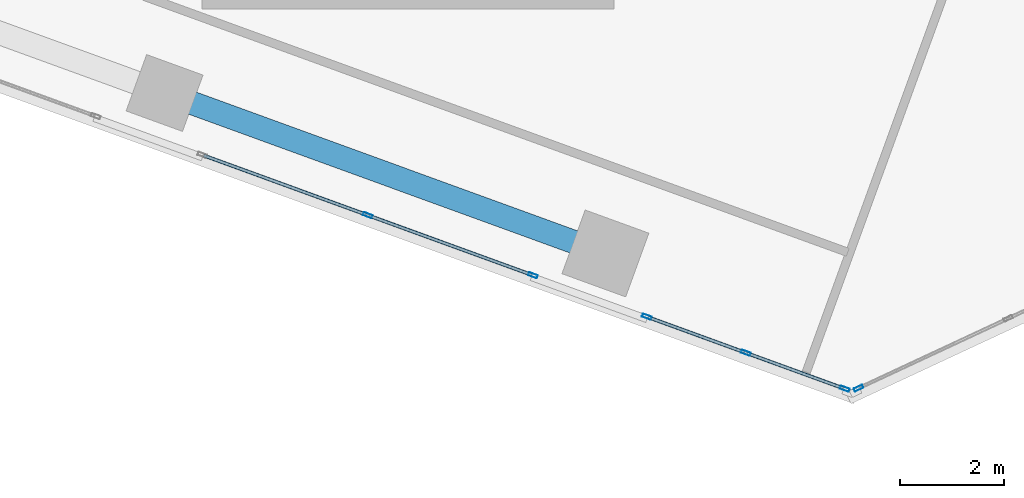
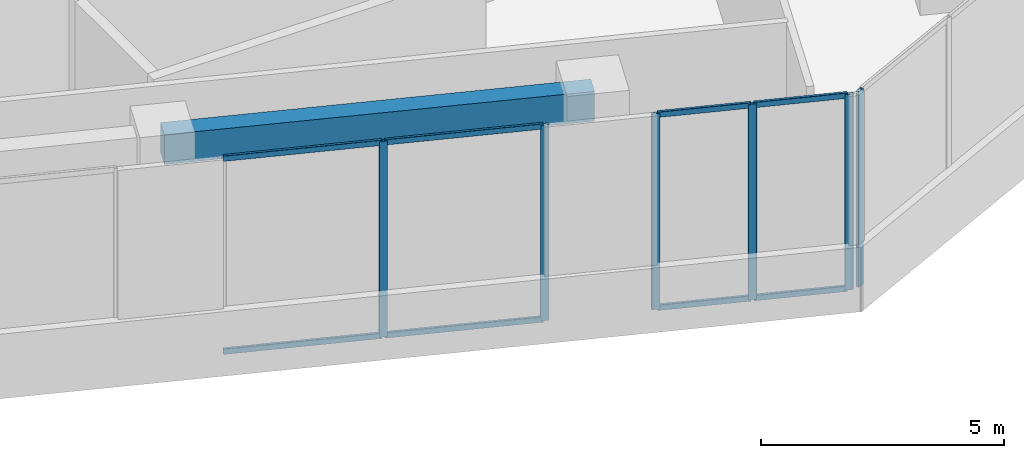
# One storey, part 4 of 21: 14 members, 1 beam, 3 elements without a shape of their own.
"""IFC4 building model written with IfcOpenShell, lengths in metres."""

from ifc_helpers import new_model, si_unit, direction, frame, origin, origin_2d, place, context, subcontext, project, spatial, rectangle, hollow_rectangle, extrude, source, transform, mapped, material, material_profile, profile_set, type_object, element, aggregate, save


model = new_model("IFC4")

# Units and contexts
model_context = context("Model", 3, precision=1e-05, world=origin(), true_north=direction((0.0, 1.0)))
body_context = subcontext(model_context, "Body", "Model", "MODEL_VIEW")
ifc_project = project(units=[si_unit("LENGTHUNIT", "METRE"), si_unit("AREAUNIT", "SQUARE_METRE"), si_unit("VOLUMEUNIT", "CUBIC_METRE"), si_unit("PLANEANGLEUNIT", "RADIAN"), si_unit("MASSUNIT", "GRAM", prefix="KILO")], contexts=[model_context])

# Site, building, storey
site_placement = place(None, origin())
site = spatial("IfcSite", under=ifc_project, at=site_placement, CompositionType="ELEMENT")
building_placement = place(site_placement, origin())
building = spatial("IfcBuilding", under=site, at=building_placement, Name="Torre Montelarca", CompositionType="ELEMENT")
storey_placement = place(building_placement, frame((0.0, 0.0, 127.60009765625)))
storey = spatial("IfcBuildingStorey", under=building, at=storey_placement, Name="L28", CompositionType="ELEMENT", Elevation=127.60009765625)

# Beam
ifc_material_1 = material(Name="Concrete C55/67", Category="concrete")
ifc_material_profile_1 = material_profile(ifc_material_1, rectangle(XDim=0.449951171875, YDim=0.75, at=origin_2d()), Name="RCB450X750", Category="concrete")
ifc_profile_set_1 = profile_set([ifc_material_profile_1], Name="Concrete C55/67")
beam_type = type_object("IfcBeamType", Name="BM-SP-RC750-EXT", PredefinedType="SPANDREL", material=ifc_profile_set_1)
shared_shape_1 = source(origin(), body_context, "Body", "SweptSolid", [
    extrude(rectangle(XDim=0.449951171875, YDim=0.75, at=origin_2d()), origin(), (0.0, 0.0, 1.0), 9.0),
])
beam_placement = place(storey_placement, frame((12.328369140625, 17.034423828125, 4.784912109375), z_axis=(0.939695174234, -0.342013127703, 0.0), x_axis=(0.342013127703, 0.939695174234, 0.0)))
element("IfcBeam", 1, at=beam_placement, inside=storey, type_object=beam_type, Name="L28 Grid Girder X 18.0-27.0 at Y=14.8", PredefinedType="SPANDREL", context=body_context, shape_type="MappedRepresentation", body=[
    mapped(shared_shape_1, transform((0.0, 0.0, 0.0), scale=1.0)),
])

# Curtain wall, members
ifc_material_2 = material(Name="Insulated low-E laminated glass", Category="glass")
curtain_wall_type = type_object("IfcCurtainWallType", Name="CW-SYS-Z2", PredefinedType="USERDEFINED", material=ifc_material_2)
curtain_wall_1_placement = place(storey_placement, origin())
curtain_wall_1 = element("IfcCurtainWall", 2, at=curtain_wall_1_placement, inside=storey, type_object=curtain_wall_type, Name="L28 Curtain Wall Run CW-T3-L28-E01-B2", ObjectType="UNITISED GLAZING", PredefinedType="USERDEFINED")
ifc_material_3 = material(Name="Anodised aluminium AA 6063-T6", Category="aluminium")
ifc_material_profile_2 = material_profile(ifc_material_3, hollow_rectangle(XDim=0.06494140625, YDim=0.179931640625, WallThickness=0.00390625, InnerFilletRadius=0.00390625, OuterFilletRadius=0.008056640625, at=origin_2d()), Name="ALU65X180X4", Category="aluminium")
ifc_profile_set_2 = profile_set([ifc_material_profile_2], Name="Anodised aluminium AA 6063-T6")
member_type_1 = type_object("IfcMemberType", Name="CWM-ALU180", PredefinedType="MULLION", material=ifc_profile_set_2)
shared_shape_2 = source(origin(), body_context, "Body", "SweptSolid", [
    extrude(hollow_rectangle(XDim=0.06494140625, YDim=0.179931640625, WallThickness=0.00390625, InnerFilletRadius=0.00390625, OuterFilletRadius=0.008056640625, at=origin_2d()), origin(), (0.0, 0.0, 1.0), 4.919921875),
])
member_1_placement = place(storey_placement, frame((16.22412109375, 14.6904296875, 0.0), z_axis=(0.0, 0.0, 1.0), x_axis=(0.342019913043, 0.939692704602, 0.0)))
member_1 = element("IfcMember", 3, at=member_1_placement, type_object=member_type_1, Name="CW mullion 2", PredefinedType="MULLION", context=body_context, shape_type="MappedRepresentation", body=[
    mapped(shared_shape_2, transform((0.0, 0.0, 0.0), scale=1.0)),
])
member_2_placement = place(storey_placement, frame((19.395751953125, 13.5361328125, 0.0), z_axis=(0.0, 0.0, 1.0), x_axis=(0.342019913043, 0.939692704602, 0.0)))
member_2 = element("IfcMember", 4, at=member_2_placement, type_object=member_type_1, Name="CW mullion 3", PredefinedType="MULLION", context=body_context, shape_type="MappedRepresentation", body=[
    mapped(shared_shape_2, transform((0.0, 0.0, 0.0), scale=1.0)),
])

curtain_wall_2_placement = place(storey_placement, origin())
curtain_wall_2 = element("IfcCurtainWall", 5, at=curtain_wall_2_placement, inside=storey, type_object=curtain_wall_type, Name="L28 Curtain Wall Run CW-T3-L28-E01-B3", ObjectType="UNITISED GLAZING", PredefinedType="USERDEFINED")
member_3_placement = place(storey_placement, frame((21.580322265625, 12.740966796875, 0.0), z_axis=(0.0, 0.0, 1.0), x_axis=(0.342022810083, 0.939691650161, 0.0)))
member_3 = element("IfcMember", 6, at=member_3_placement, type_object=member_type_1, Name="CW mullion 1", PredefinedType="MULLION", context=body_context, shape_type="MappedRepresentation", body=[
    mapped(shared_shape_2, transform((0.0, 0.0, 0.0), scale=1.0)),
])
member_4_placement = place(storey_placement, frame((23.478271484375, 12.05029296875, 0.0), z_axis=(0.0, 0.0, 1.0), x_axis=(0.342022810083, 0.939691650161, 0.0)))
member_4 = element("IfcMember", 7, at=member_4_placement, type_object=member_type_1, Name="CW mullion 2", PredefinedType="MULLION", context=body_context, shape_type="MappedRepresentation", body=[
    mapped(shared_shape_2, transform((0.0, 0.0, 0.0), scale=1.0)),
])
member_5_placement = place(storey_placement, frame((25.3759765625, 11.359619140625, 0.0), z_axis=(0.0, 0.0, 1.0), x_axis=(0.342022810083, 0.939691650161, 0.0)))
member_5 = element("IfcMember", 8, at=member_5_placement, type_object=member_type_1, Name="CW mullion 3", PredefinedType="MULLION", context=body_context, shape_type="MappedRepresentation", body=[
    mapped(shared_shape_2, transform((0.0, 0.0, 0.0), scale=1.0)),
])

# Curtain wall, member
curtain_wall_3_placement = place(storey_placement, origin())
curtain_wall_3 = element("IfcCurtainWall", 9, at=curtain_wall_3_placement, inside=storey, type_object=curtain_wall_type, Name="L28 Curtain Wall Run CW-T3-L28-E02-B1", ObjectType="UNITISED GLAZING", PredefinedType="USERDEFINED")
member_6_placement = place(storey_placement, frame((25.642822265625, 11.371337890625, 0.0), z_axis=(0.0, 0.0, 1.0), x_axis=(-0.42258947224, 0.906321211244, 0.0)))
member_6 = element("IfcMember", 10, at=member_6_placement, type_object=member_type_1, Name="CW mullion 1", PredefinedType="MULLION", context=body_context, shape_type="MappedRepresentation", body=[
    mapped(shared_shape_2, transform((0.0, 0.0, 0.0), scale=1.0)),
])
aggregate(curtain_wall_3, [member_6])

# Member
ifc_material_profile_3 = material_profile(ifc_material_3, hollow_rectangle(XDim=0.06494140625, YDim=0.139892578125, WallThickness=0.00390625, InnerFilletRadius=0.00390625, OuterFilletRadius=0.008056640625, at=origin_2d()), Name="ALU65X140X4", Category="aluminium")
ifc_profile_set_3 = profile_set([ifc_material_profile_3], Name="Anodised aluminium AA 6063-T6")
member_type_2 = type_object("IfcMemberType", Name="CWT-ALU140", PredefinedType="USERDEFINED", material=ifc_profile_set_3)
shared_shape_3 = source(origin(), body_context, "Body", "SweptSolid", [
    extrude(hollow_rectangle(XDim=0.06494140625, YDim=0.139892578125, WallThickness=0.00390625, InnerFilletRadius=0.00390625, OuterFilletRadius=0.008056640625, at=origin_2d()), origin(), (0.0, 0.0, 1.0), 3.31005859375),
])
member_7_placement = place(storey_placement, frame((13.083251953125, 15.833740234375, 0.032470703125), z_axis=(0.939692165268, -0.342021394847, 0.0), x_axis=(0.342021394847, 0.939692165268, 0.0)))
member_7 = element("IfcMember", 11, at=member_7_placement, type_object=member_type_2, Name="CW transom 1.1", ObjectType="TRANSOM", PredefinedType="USERDEFINED", context=body_context, shape_type="MappedRepresentation", body=[
    mapped(shared_shape_3, transform((0.0, 0.0, 0.0), scale=1.0)),
])

member_8_placement = place(storey_placement, frame((13.083251953125, 15.833740234375, 4.887451171875), z_axis=(0.939692165268, -0.342021394847, 0.0), x_axis=(0.342021394847, 0.939692165268, 0.0)))
member_8 = element("IfcMember", 12, at=member_8_placement, type_object=member_type_2, Name="CW transom 1.2", ObjectType="TRANSOM", PredefinedType="USERDEFINED", context=body_context, shape_type="MappedRepresentation", body=[
    mapped(shared_shape_3, transform((0.0, 0.0, 0.0), scale=1.0)),
])

shared_shape_4 = source(origin(), body_context, "Body", "SweptSolid", [
    extrude(hollow_rectangle(XDim=0.06494140625, YDim=0.139892578125, WallThickness=0.00390625, InnerFilletRadius=0.00390625, OuterFilletRadius=0.008056640625, at=origin_2d()), origin(), (0.0, 0.0, 1.0), 3.310302734375),
])
member_9_placement = place(storey_placement, frame((16.254638671875, 14.679443359375, 0.032470703125), z_axis=(0.939700792622, -0.341997690557, 0.0), x_axis=(0.341997690557, 0.939700792622, 0.0)))
member_9 = element("IfcMember", 13, at=member_9_placement, type_object=member_type_2, Name="CW transom 2.1", ObjectType="TRANSOM", PredefinedType="USERDEFINED", context=body_context, shape_type="MappedRepresentation", body=[
    mapped(shared_shape_4, transform((0.0, 0.0, 0.0), scale=1.0)),
])

member_10_placement = place(storey_placement, frame((16.254638671875, 14.679443359375, 4.887451171875), z_axis=(0.939700792622, -0.341997690557, 0.0), x_axis=(0.341997690557, 0.939700792622, 0.0)))
member_10 = element("IfcMember", 14, at=member_10_placement, type_object=member_type_2, Name="CW transom 2.2", ObjectType="TRANSOM", PredefinedType="USERDEFINED", context=body_context, shape_type="MappedRepresentation", body=[
    mapped(shared_shape_4, transform((0.0, 0.0, 0.0), scale=1.0)),
])

aggregate(curtain_wall_1, [member_1, member_2, member_7, member_8, member_9, member_10])

shared_shape_5 = source(origin(), body_context, "Body", "SweptSolid", [
    extrude(hollow_rectangle(XDim=0.06494140625, YDim=0.139892578125, WallThickness=0.00390625, InnerFilletRadius=0.00390625, OuterFilletRadius=0.008056640625, at=origin_2d()), origin(), (0.0, 0.0, 1.0), 1.95458984375),
])
member_11_placement = place(storey_placement, frame((21.611083984375, 12.72998046875, 0.032470703125), z_axis=(0.939698565058, -0.34200381113, 0.0), x_axis=(0.34200381113, 0.939698565058, 0.0)))
member_11 = element("IfcMember", 15, at=member_11_placement, type_object=member_type_2, Name="CW transom 1.1", ObjectType="TRANSOM", PredefinedType="USERDEFINED", context=body_context, shape_type="MappedRepresentation", body=[
    mapped(shared_shape_5, transform((0.0, 0.0, 0.0), scale=1.0)),
])

member_12_placement = place(storey_placement, frame((21.611083984375, 12.72998046875, 4.887451171875), z_axis=(0.939698565058, -0.34200381113, 0.0), x_axis=(0.34200381113, 0.939698565058, 0.0)))
member_12 = element("IfcMember", 16, at=member_12_placement, type_object=member_type_2, Name="CW transom 1.2", ObjectType="TRANSOM", PredefinedType="USERDEFINED", context=body_context, shape_type="MappedRepresentation", body=[
    mapped(shared_shape_5, transform((0.0, 0.0, 0.0), scale=1.0)),
])

member_13_placement = place(storey_placement, frame((23.5087890625, 12.039306640625, 0.032470703125), z_axis=(0.939698565058, -0.34200381113, 0.0), x_axis=(0.34200381113, 0.939698565058, 0.0)))
member_13 = element("IfcMember", 17, at=member_13_placement, type_object=member_type_2, Name="CW transom 2.1", ObjectType="TRANSOM", PredefinedType="USERDEFINED", context=body_context, shape_type="MappedRepresentation", body=[
    mapped(shared_shape_5, transform((0.0, 0.0, 0.0), scale=1.0)),
])

member_14_placement = place(storey_placement, frame((23.5087890625, 12.039306640625, 4.887451171875), z_axis=(0.939698565058, -0.34200381113, 0.0), x_axis=(0.34200381113, 0.939698565058, 0.0)))
member_14 = element("IfcMember", 18, at=member_14_placement, type_object=member_type_2, Name="CW transom 2.2", ObjectType="TRANSOM", PredefinedType="USERDEFINED", context=body_context, shape_type="MappedRepresentation", body=[
    mapped(shared_shape_5, transform((0.0, 0.0, 0.0), scale=1.0)),
])

aggregate(curtain_wall_2, [member_3, member_4, member_5, member_11, member_12, member_13, member_14])

save(model, "model.ifc")
